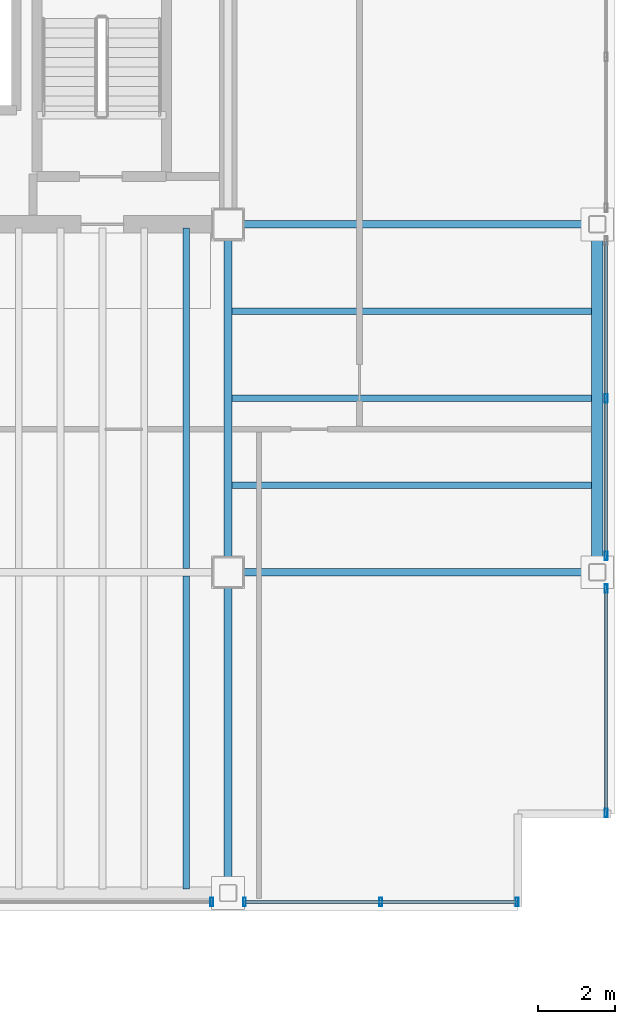
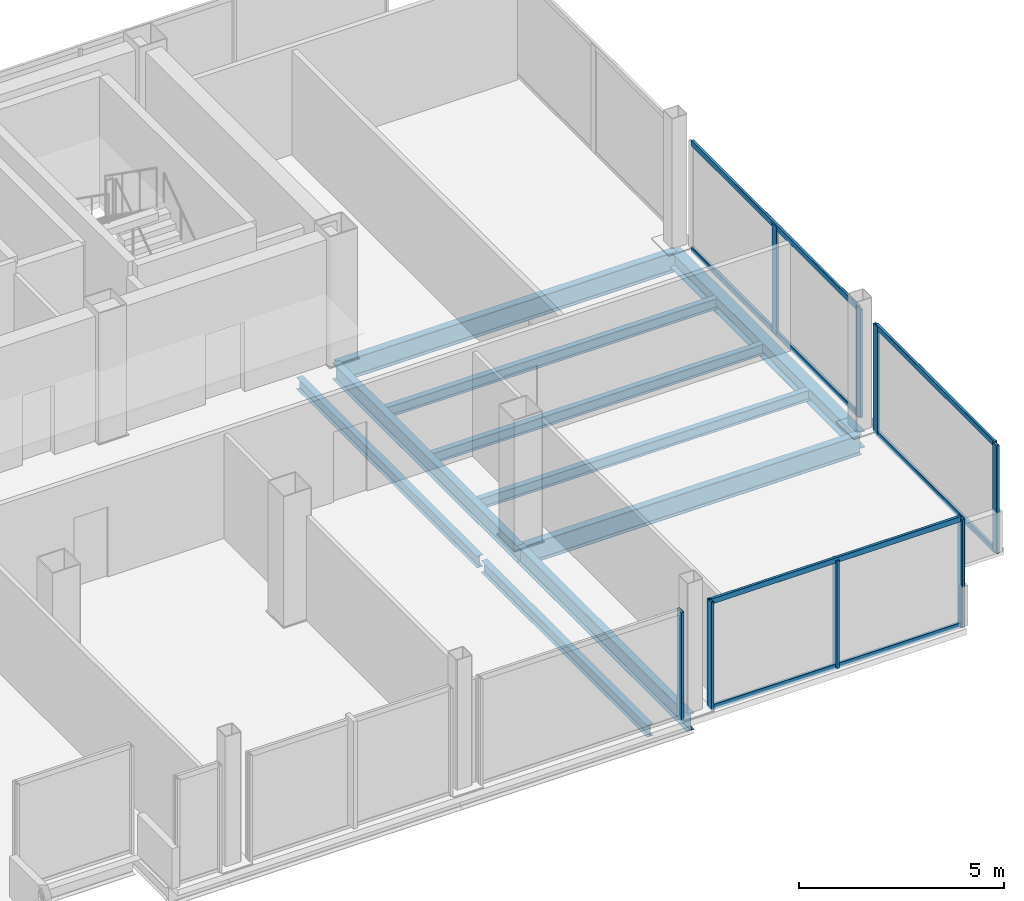
# One storey, part 10 of 15: 14 members, 10 beams, 4 elements without a shape of their own.
"""IFC4 building model written with IfcOpenShell, lengths in metres."""

from ifc_helpers import new_model, si_unit, direction, frame, origin, origin_2d, place, context, subcontext, project, spatial, hollow_rectangle, i_section, extrude, material, material_profile, profile_set, type_object, element, aggregate, save


model = new_model("IFC4")

# Units and contexts
model_context = context("Model", 3, precision=1e-05, world=origin(), true_north=direction((0.0, 1.0)))
body_context = subcontext(model_context, "Body", "Model", "MODEL_VIEW")
ifc_project = project(units=[si_unit("LENGTHUNIT", "METRE"), si_unit("AREAUNIT", "SQUARE_METRE"), si_unit("VOLUMEUNIT", "CUBIC_METRE"), si_unit("PLANEANGLEUNIT", "RADIAN"), si_unit("MASSUNIT", "GRAM", prefix="KILO")], contexts=[model_context])

# Site, building, storey
site_placement = place(None, origin())
site = spatial("IfcSite", under=ifc_project, at=site_placement, CompositionType="ELEMENT")
building_placement = place(site_placement, origin())
building = spatial("IfcBuilding", under=site, at=building_placement, Name="Noeulbin Bourse Tower", CompositionType="ELEMENT")
storey_placement = place(building_placement, frame((0.0, 0.0, 215.0)))
storey = spatial("IfcBuildingStorey", under=building, at=storey_placement, Name="L53", CompositionType="ELEMENT", Elevation=215.0)

# Beams
ifc_material_1 = material(Name="Steel S355", Category="steel")
ifc_material_profile_1 = material_profile(ifc_material_1, i_section(OverallWidth=0.199951171875, OverallDepth=0.5, WebThickness=0.010009765625, FlangeThickness=0.01611328125, FilletRadius=0.02001953125, at=origin_2d()), Name="H-500x200x10x16", Category="LoadBearing")
ifc_profile_set_1 = profile_set([ifc_material_profile_1], Name="Steel S355")
beam_type_1 = type_object("IfcBeamType", Name="BM-GRD-500", PredefinedType="USERDEFINED", material=ifc_profile_set_1)
beam_1_placement = place(storey_placement, frame((44.0, 11.699951171875, -0.429931640625), z_axis=(0.0, 1.0, 0.0), x_axis=(-1.0, 0.0, 0.0)))
element("IfcBeam", 1, at=beam_1_placement, inside=storey, type_object=beam_type_1, Name="Tower Primary Girder NS L53-5.1", ObjectType="GIRDER", PredefinedType="USERDEFINED", context=body_context, shape_type="SweptSolid", body=[
    extrude(i_section(OverallWidth=0.199951171875, OverallDepth=0.5, WebThickness=0.010009765625, FlangeThickness=0.01611328125, FilletRadius=0.02001953125, at=origin_2d()), origin(), (0.0, 0.0, 1.0), 8.300048828125),
])
beam_2_placement = place(storey_placement, frame((44.0, 20.0, -0.429931640625), z_axis=(0.0, 1.0, 0.0), x_axis=(-1.0, 0.0, 0.0)))
element("IfcBeam", 2, at=beam_2_placement, inside=storey, type_object=beam_type_1, Name="Tower Primary Girder NS L53-5.2", ObjectType="GIRDER", PredefinedType="USERDEFINED", context=body_context, shape_type="SweptSolid", body=[
    extrude(i_section(OverallWidth=0.199951171875, OverallDepth=0.5, WebThickness=0.010009765625, FlangeThickness=0.01611328125, FilletRadius=0.02001953125, at=origin_2d()), origin(), (0.0, 0.0, 1.0), 9.0),
])
ifc_material_profile_2 = material_profile(ifc_material_1, i_section(OverallWidth=0.199951171875, OverallDepth=0.60009765625, WebThickness=0.010986328125, FlangeThickness=0.01708984375, FilletRadius=0.02197265625, at=origin_2d()), Name="H-600x200x11x17", Category="LoadBearing")
ifc_profile_set_2 = profile_set([ifc_material_profile_2], Name="Steel S355")
beam_type_2 = type_object("IfcBeamType", Name="BM-GRD-600", PredefinedType="USERDEFINED", material=ifc_profile_set_2)
for number, where, z_axis, x_axis, name in (
    (3, (44.0, 20.0, -0.47998046875), (1.0, 0.0, 0.0), (0.0, 1.0, 0.0), "Tower Primary Girder EW L53-1.6"),
    (4, (44.0, 29.0, -0.47998046875), (1.0, 0.0, 0.0), (0.0, 1.0, 0.0), "Tower Primary Girder EW L53-2.6"),
):
    element("IfcBeam", number, at=place(storey_placement, frame(where, z_axis=z_axis, x_axis=x_axis)), inside=storey, type_object=beam_type_2, Name=name, ObjectType="GIRDER", PredefinedType="USERDEFINED", context=body_context, shape_type="SweptSolid", body=[
        extrude(i_section(OverallWidth=0.199951171875, OverallDepth=0.60009765625, WebThickness=0.010986328125, FlangeThickness=0.01708984375, FilletRadius=0.02197265625, at=origin_2d()), origin(), (0.0, 0.0, 1.0), 9.550048828125),
    ])
ifc_material_profile_3 = material_profile(ifc_material_1, i_section(OverallWidth=0.159912109375, OverallDepth=0.320068359375, WebThickness=0.006591796875, FlangeThickness=0.010009765625, FilletRadius=0.012939453125, at=origin_2d()), Name="H-320x160x6.5x10", Category="LoadBearing")
ifc_profile_set_3 = profile_set([ifc_material_profile_3], Name="Steel S355")
beam_type_3 = type_object("IfcBeamType", Name="BM-JST-320", PredefinedType="JOIST", material=ifc_profile_set_3)
for number, where, z_axis, x_axis, name in (
    (5, (44.10009765625, 22.25, -0.340087890625), (1.0, 0.0, 0.0), (0.0, 1.0, 0.0), "Wing Composite Joist L53-E50"),
    (6, (44.10009765625, 24.5, -0.340087890625), (1.0, 0.0, 0.0), (0.0, 1.0, 0.0), "Wing Composite Joist L53-E51"),
    (7, (44.10009765625, 26.75, -0.340087890625), (1.0, 0.0, 0.0), (0.0, 1.0, 0.0), "Wing Composite Joist L53-E52"),
):
    element("IfcBeam", number, at=place(storey_placement, frame(where, z_axis=z_axis, x_axis=x_axis)), inside=storey, type_object=beam_type_3, Name=name, PredefinedType="JOIST", context=body_context, shape_type="SweptSolid", body=[
        extrude(i_section(OverallWidth=0.159912109375, OverallDepth=0.320068359375, WebThickness=0.006591796875, FlangeThickness=0.010009765625, FilletRadius=0.012939453125, at=origin_2d()), origin(), (0.0, 0.0, 1.0), 9.2998046875),
    ])
ifc_material_profile_4 = material_profile(ifc_material_1, i_section(OverallWidth=0.175048828125, OverallDepth=0.35009765625, WebThickness=0.007080078125, FlangeThickness=0.010986328125, FilletRadius=0.013916015625, at=origin_2d()), Name="H-350x175x7x11", Category="LoadBearing")
ifc_profile_set_4 = profile_set([ifc_material_profile_4], Name="Steel S355")
beam_type_4 = type_object("IfcBeamType", Name="BM-JST-350", PredefinedType="JOIST", material=ifc_profile_set_4)
beam_3_placement = place(storey_placement, frame((42.916748046875, 11.800048828125, -0.35498046875), z_axis=(0.0, 1.0, 0.0), x_axis=(-1.0, 0.0, 0.0)))
element("IfcBeam", 8, at=beam_3_placement, inside=storey, type_object=beam_type_4, Name="Tower Composite Joist L53-45", PredefinedType="JOIST", context=body_context, shape_type="SweptSolid", body=[
    extrude(i_section(OverallWidth=0.175048828125, OverallDepth=0.35009765625, WebThickness=0.007080078125, FlangeThickness=0.010986328125, FilletRadius=0.013916015625, at=origin_2d()), origin(), (0.0, 0.0, 1.0), 8.099853515625),
])
beam_4_placement = place(storey_placement, frame((42.916748046875, 20.10009765625, -0.35498046875), z_axis=(0.0, 1.0, 0.0), x_axis=(-1.0, 0.0, 0.0)))
element("IfcBeam", 9, at=beam_4_placement, inside=storey, type_object=beam_type_4, Name="Tower Composite Joist L53-46", PredefinedType="JOIST", context=body_context, shape_type="SweptSolid", body=[
    extrude(i_section(OverallWidth=0.175048828125, OverallDepth=0.35009765625, WebThickness=0.007080078125, FlangeThickness=0.010986328125, FilletRadius=0.013916015625, at=origin_2d()), origin(), (0.0, 0.0, 1.0), 8.7998046875),
])
ifc_material_profile_5 = material_profile(ifc_material_1, i_section(OverallWidth=0.300048828125, OverallDepth=0.488037109375, WebThickness=0.010986328125, FlangeThickness=0.01806640625, FilletRadius=0.02197265625, at=origin_2d()), Name="H-488x300x11x18", Category="LoadBearing")
ifc_profile_set_5 = profile_set([ifc_material_profile_5], Name="Steel S355")
beam_type_5 = type_object("IfcBeamType", Name="BM-SPN-488", PredefinedType="SPANDREL", material=ifc_profile_set_5)
beam_5_placement = place(storey_placement, frame((53.550048828125, 20.0, -0.424072265625), z_axis=(0.0, 1.0, 0.0), x_axis=(-1.0, 0.0, 0.0)))
element("IfcBeam", 10, at=beam_5_placement, inside=storey, type_object=beam_type_5, Name="East Spandrel L53-1", PredefinedType="SPANDREL", context=body_context, shape_type="SweptSolid", body=[
    extrude(i_section(OverallWidth=0.300048828125, OverallDepth=0.488037109375, WebThickness=0.010986328125, FlangeThickness=0.01806640625, FilletRadius=0.02197265625, at=origin_2d()), origin(), (0.0, 0.0, 1.0), 9.0),
])

# Curtain wall, member
ifc_material_2 = material(Name="High-Selectivity Low-Iron Glazing", Category="glass")
curtain_wall_type = type_object("IfcCurtainWallType", Name="CW-SYS-4", PredefinedType="NOTDEFINED", material=ifc_material_2)
curtain_wall_1_placement = place(storey_placement, origin())
curtain_wall_1 = element("IfcCurtainWall", 11, at=curtain_wall_1_placement, inside=storey, type_object=curtain_wall_type, Name="Unitised Curtain Wall CW-L53-S3-S3", PredefinedType="NOTDEFINED")
ifc_material_3 = material(Name="Anodised Aluminium 6063-T6", Category="aluminium")
ifc_material_profile_6 = material_profile(ifc_material_3, hollow_rectangle(XDim=0.074951171875, YDim=0.219970703125, WallThickness=0.0048828125, InnerFilletRadius=0.00244140625, OuterFilletRadius=0.0048828125, at=origin_2d()), Name="ALU-MULL-75x220x5", Category="LoadBearing")
ifc_profile_set_6 = profile_set([ifc_material_profile_6], Name="Anodised Aluminium 6063-T6")
member_type_1 = type_object("IfcMemberType", Name="CW-SYS-4-MUL", PredefinedType="MULLION", material=ifc_profile_set_6)
member_1_placement = place(storey_placement, frame((43.574951171875, 11.469970703125, -0.02001953125), z_axis=(0.0, 0.0, 1.0), x_axis=(1.0, 0.0, 0.0)))
member_1 = element("IfcMember", 12, at=member_1_placement, type_object=member_type_1, Name="Curtain Wall Mullion CW-L53-S3-S3-M01", PredefinedType="MULLION", context=body_context, shape_type="SweptSolid", body=[
    extrude(hollow_rectangle(XDim=0.074951171875, YDim=0.219970703125, WallThickness=0.0048828125, InnerFilletRadius=0.00244140625, OuterFilletRadius=0.0048828125, at=origin_2d()), origin(), (0.0, 0.0, 1.0), 3.219970703125),
])
aggregate(curtain_wall_1, [member_1])

# Curtain wall, members
curtain_wall_2_placement = place(storey_placement, origin())
curtain_wall_2 = element("IfcCurtainWall", 13, at=curtain_wall_2_placement, inside=storey, type_object=curtain_wall_type, Name="Unitised Curtain Wall CW-L53-S3-S4", PredefinedType="NOTDEFINED")
member_2_placement = place(storey_placement, frame((44.425048828125, 11.469970703125, -0.02001953125), z_axis=(0.0, 0.0, 1.0), x_axis=(1.0, 0.0, 0.0)))
member_2 = element("IfcMember", 14, at=member_2_placement, type_object=member_type_1, Name="Curtain Wall Mullion CW-L53-S3-S4-M00", PredefinedType="MULLION", context=body_context, shape_type="SweptSolid", body=[
    extrude(hollow_rectangle(XDim=0.074951171875, YDim=0.219970703125, WallThickness=0.0048828125, InnerFilletRadius=0.00244140625, OuterFilletRadius=0.0048828125, at=origin_2d()), origin(), (0.0, 0.0, 1.0), 3.219970703125),
])
member_3_placement = place(storey_placement, frame((47.952392578125, 11.469970703125, -0.02001953125), z_axis=(0.0, 0.0, 1.0), x_axis=(1.0, 0.0, 0.0)))
member_3 = element("IfcMember", 15, at=member_3_placement, type_object=member_type_1, Name="Curtain Wall Mullion CW-L53-S3-S4-M01", PredefinedType="MULLION", context=body_context, shape_type="SweptSolid", body=[
    extrude(hollow_rectangle(XDim=0.074951171875, YDim=0.219970703125, WallThickness=0.0048828125, InnerFilletRadius=0.00244140625, OuterFilletRadius=0.0048828125, at=origin_2d()), origin(), (0.0, 0.0, 1.0), 3.219970703125),
])
member_4_placement = place(storey_placement, frame((51.47998046875, 11.469970703125, -0.02001953125), z_axis=(0.0, 0.0, 1.0), x_axis=(1.0, 0.0, 0.0)))
member_4 = element("IfcMember", 16, at=member_4_placement, type_object=member_type_1, Name="Curtain Wall Mullion CW-L53-S3-S4-M02", PredefinedType="MULLION", context=body_context, shape_type="SweptSolid", body=[
    extrude(hollow_rectangle(XDim=0.074951171875, YDim=0.219970703125, WallThickness=0.0048828125, InnerFilletRadius=0.00244140625, OuterFilletRadius=0.0048828125, at=origin_2d()), origin(), (0.0, 0.0, 1.0), 3.219970703125),
])

curtain_wall_3_placement = place(storey_placement, origin())
curtain_wall_3 = element("IfcCurtainWall", 17, at=curtain_wall_3_placement, inside=storey, type_object=curtain_wall_type, Name="Unitised Curtain Wall CW-L53-E-S1", PredefinedType="NOTDEFINED")
member_5_placement = place(storey_placement, frame((53.780029296875, 13.77001953125, -0.02001953125), z_axis=(0.0, 0.0, 1.0), x_axis=(1.0, 0.0, 0.0)))
member_5 = element("IfcMember", 18, at=member_5_placement, type_object=member_type_1, Name="Curtain Wall Mullion CW-L53-E-S1-M00", PredefinedType="MULLION", context=body_context, shape_type="SweptSolid", body=[
    extrude(hollow_rectangle(XDim=0.074951171875, YDim=0.219970703125, WallThickness=0.0048828125, InnerFilletRadius=0.00244140625, OuterFilletRadius=0.0048828125, at=origin_2d()), origin(), (0.0, 0.0, 1.0), 3.219970703125),
])
member_6_placement = place(storey_placement, frame((53.780029296875, 19.574951171875, -0.02001953125), z_axis=(0.0, 0.0, 1.0), x_axis=(1.0, 0.0, 0.0)))
member_6 = element("IfcMember", 19, at=member_6_placement, type_object=member_type_1, Name="Curtain Wall Mullion CW-L53-E-S1-M01", PredefinedType="MULLION", context=body_context, shape_type="SweptSolid", body=[
    extrude(hollow_rectangle(XDim=0.074951171875, YDim=0.219970703125, WallThickness=0.0048828125, InnerFilletRadius=0.00244140625, OuterFilletRadius=0.0048828125, at=origin_2d()), origin(), (0.0, 0.0, 1.0), 3.219970703125),
])

curtain_wall_4_placement = place(storey_placement, origin())
curtain_wall_4 = element("IfcCurtainWall", 20, at=curtain_wall_4_placement, inside=storey, type_object=curtain_wall_type, Name="Unitised Curtain Wall CW-L53-E-S2", PredefinedType="NOTDEFINED")
member_7_placement = place(storey_placement, frame((53.780029296875, 20.425048828125, -0.02001953125), z_axis=(0.0, 0.0, 1.0), x_axis=(1.0, 0.0, 0.0)))
member_7 = element("IfcMember", 21, at=member_7_placement, type_object=member_type_1, Name="Curtain Wall Mullion CW-L53-E-S2-M00", PredefinedType="MULLION", context=body_context, shape_type="SweptSolid", body=[
    extrude(hollow_rectangle(XDim=0.074951171875, YDim=0.219970703125, WallThickness=0.0048828125, InnerFilletRadius=0.00244140625, OuterFilletRadius=0.0048828125, at=origin_2d()), origin(), (0.0, 0.0, 1.0), 3.219970703125),
])
member_8_placement = place(storey_placement, frame((53.780029296875, 24.5, -0.02001953125), z_axis=(0.0, 0.0, 1.0), x_axis=(1.0, 0.0, 0.0)))
member_8 = element("IfcMember", 22, at=member_8_placement, type_object=member_type_1, Name="Curtain Wall Mullion CW-L53-E-S2-M01", PredefinedType="MULLION", context=body_context, shape_type="SweptSolid", body=[
    extrude(hollow_rectangle(XDim=0.074951171875, YDim=0.219970703125, WallThickness=0.0048828125, InnerFilletRadius=0.00244140625, OuterFilletRadius=0.0048828125, at=origin_2d()), origin(), (0.0, 0.0, 1.0), 3.219970703125),
])

# Member
ifc_material_profile_7 = material_profile(ifc_material_3, hollow_rectangle(XDim=0.074951171875, YDim=0.159912109375, WallThickness=0.0048828125, InnerFilletRadius=0.00244140625, OuterFilletRadius=0.0048828125, at=origin_2d()), Name="ALU-TRAN-75x160x5", Category="LoadBearing")
ifc_profile_set_7 = profile_set([ifc_material_profile_7], Name="Anodised Aluminium 6063-T6")
member_type_2 = type_object("IfcMemberType", Name="CW-SYS-4-TRN", PredefinedType="USERDEFINED", material=ifc_profile_set_7)
member_9_placement = place(storey_placement, frame((44.43505859375, 11.469970703125, 0.010009765625), z_axis=(1.0, 0.0, 0.0), x_axis=(0.0, 1.0, 0.0)))
member_9 = element("IfcMember", 23, at=member_9_placement, type_object=member_type_2, Name="Curtain Wall Transom CW-L53-S3-S4-T00", ObjectType="TRANSOM", PredefinedType="USERDEFINED", context=body_context, shape_type="SweptSolid", body=[
    extrude(hollow_rectangle(XDim=0.074951171875, YDim=0.159912109375, WallThickness=0.0048828125, InnerFilletRadius=0.00244140625, OuterFilletRadius=0.0048828125, at=origin_2d()), origin(), (0.0, 0.0, 1.0), 7.034912109375),
])

member_10_placement = place(storey_placement, frame((44.43505859375, 11.469970703125, 3.169921875), z_axis=(1.0, 0.0, 0.0), x_axis=(0.0, 1.0, 0.0)))
member_10 = element("IfcMember", 24, at=member_10_placement, type_object=member_type_2, Name="Curtain Wall Transom CW-L53-S3-S4-T01", ObjectType="TRANSOM", PredefinedType="USERDEFINED", context=body_context, shape_type="SweptSolid", body=[
    extrude(hollow_rectangle(XDim=0.074951171875, YDim=0.159912109375, WallThickness=0.0048828125, InnerFilletRadius=0.00244140625, OuterFilletRadius=0.0048828125, at=origin_2d()), origin(), (0.0, 0.0, 1.0), 7.034912109375),
])

aggregate(curtain_wall_2, [member_2, member_3, member_4, member_9, member_10])

member_11_placement = place(storey_placement, frame((53.780029296875, 13.780029296875, 0.010009765625), z_axis=(0.0, 1.0, 0.0), x_axis=(-1.0, 0.0, 0.0)))
member_11 = element("IfcMember", 25, at=member_11_placement, type_object=member_type_2, Name="Curtain Wall Transom CW-L53-E-S1-T00", ObjectType="TRANSOM", PredefinedType="USERDEFINED", context=body_context, shape_type="SweptSolid", body=[
    extrude(hollow_rectangle(XDim=0.074951171875, YDim=0.159912109375, WallThickness=0.0048828125, InnerFilletRadius=0.00244140625, OuterFilletRadius=0.0048828125, at=origin_2d()), origin(), (0.0, 0.0, 1.0), 5.784912109375),
])

member_12_placement = place(storey_placement, frame((53.780029296875, 13.780029296875, 3.169921875), z_axis=(0.0, 1.0, 0.0), x_axis=(-1.0, 0.0, 0.0)))
member_12 = element("IfcMember", 26, at=member_12_placement, type_object=member_type_2, Name="Curtain Wall Transom CW-L53-E-S1-T01", ObjectType="TRANSOM", PredefinedType="USERDEFINED", context=body_context, shape_type="SweptSolid", body=[
    extrude(hollow_rectangle(XDim=0.074951171875, YDim=0.159912109375, WallThickness=0.0048828125, InnerFilletRadius=0.00244140625, OuterFilletRadius=0.0048828125, at=origin_2d()), origin(), (0.0, 0.0, 1.0), 5.784912109375),
])

aggregate(curtain_wall_3, [member_5, member_6, member_11, member_12])

member_13_placement = place(storey_placement, frame((53.780029296875, 20.43505859375, 0.010009765625), z_axis=(0.0, 1.0, 0.0), x_axis=(-1.0, 0.0, 0.0)))
member_13 = element("IfcMember", 27, at=member_13_placement, type_object=member_type_2, Name="Curtain Wall Transom CW-L53-E-S2-T00", ObjectType="TRANSOM", PredefinedType="USERDEFINED", context=body_context, shape_type="SweptSolid", body=[
    extrude(hollow_rectangle(XDim=0.074951171875, YDim=0.159912109375, WallThickness=0.0048828125, InnerFilletRadius=0.00244140625, OuterFilletRadius=0.0048828125, at=origin_2d()), origin(), (0.0, 0.0, 1.0), 8.1298828125),
])

member_14_placement = place(storey_placement, frame((53.780029296875, 20.43505859375, 3.169921875), z_axis=(0.0, 1.0, 0.0), x_axis=(-1.0, 0.0, 0.0)))
member_14 = element("IfcMember", 28, at=member_14_placement, type_object=member_type_2, Name="Curtain Wall Transom CW-L53-E-S2-T01", ObjectType="TRANSOM", PredefinedType="USERDEFINED", context=body_context, shape_type="SweptSolid", body=[
    extrude(hollow_rectangle(XDim=0.074951171875, YDim=0.159912109375, WallThickness=0.0048828125, InnerFilletRadius=0.00244140625, OuterFilletRadius=0.0048828125, at=origin_2d()), origin(), (0.0, 0.0, 1.0), 8.1298828125),
])

aggregate(curtain_wall_4, [member_7, member_8, member_13, member_14])

save(model, "model.ifc")
